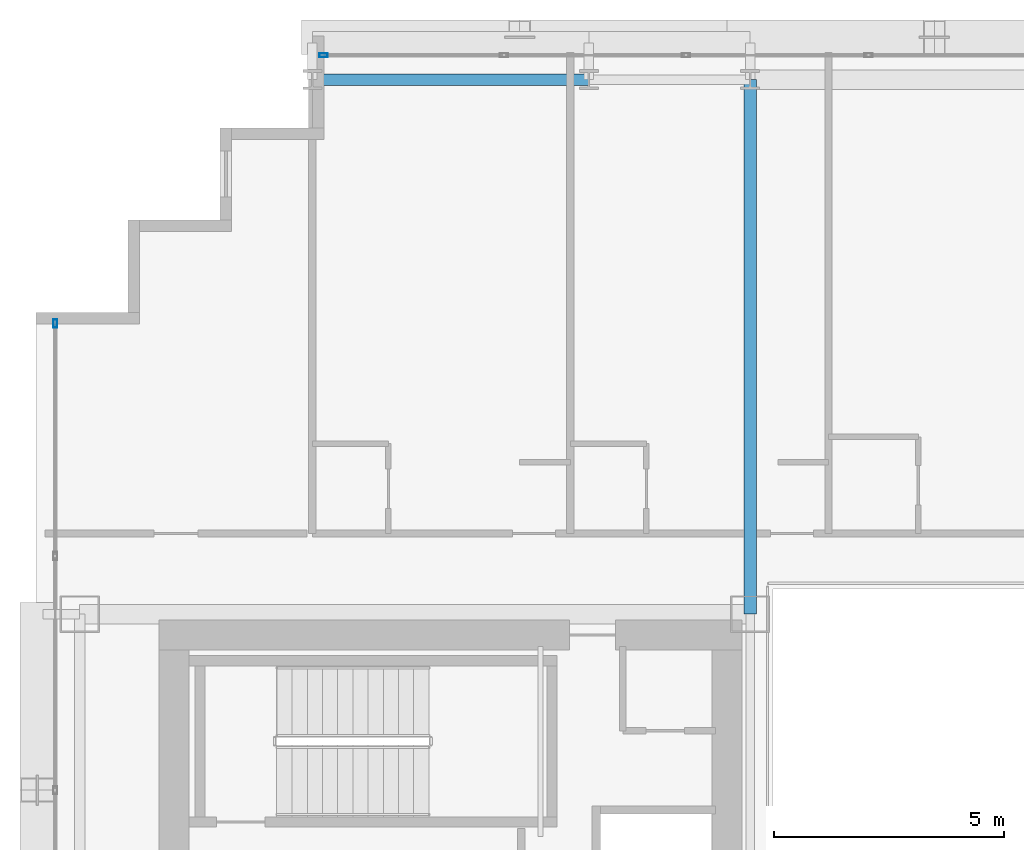
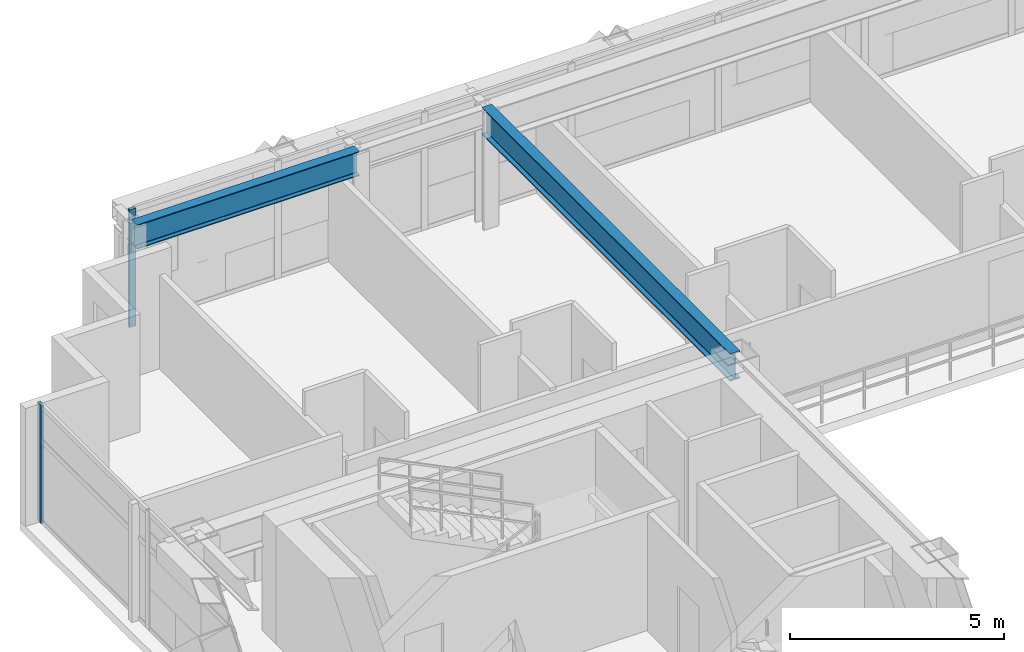
# One storey, part 17 of 35: 2 beams, 2 members, 2 elements without a shape of their own.
"""IFC4 building model written with IfcOpenShell, lengths in metres."""

from ifc_helpers import new_model, si_unit, direction, frame, origin, origin_2d, place, context, subcontext, project, spatial, hollow_rectangle, i_section, extrude, source, transform, mapped, material, layer, layer_set, material_profile, profile_set, type_object, element, aggregate, save


model = new_model("IFC4")

# Units and contexts
model_context = context("Model", 3, precision=1e-05, world=origin(), true_north=direction((0.0, 1.0)))
body_context = subcontext(model_context, "Body", "Model", "MODEL_VIEW")
ifc_project = project(units=[si_unit("LENGTHUNIT", "METRE"), si_unit("AREAUNIT", "SQUARE_METRE"), si_unit("VOLUMEUNIT", "CUBIC_METRE"), si_unit("PLANEANGLEUNIT", "RADIAN"), si_unit("MASSUNIT", "GRAM", prefix="KILO")], contexts=[model_context])

# Site, building, storey
site_placement = place(None, origin())
site = spatial("IfcSite", under=ifc_project, at=site_placement, CompositionType="ELEMENT")
building_placement = place(site_placement, origin())
building = spatial("IfcBuilding", under=site, at=building_placement, Name="Ocotamira Hotel", CompositionType="ELEMENT")
storey_placement = place(building_placement, frame((0.0, 0.0, 140.39990234375)))
storey = spatial("IfcBuildingStorey", under=building, at=storey_placement, Name="L35", CompositionType="ELEMENT", Elevation=140.39990234375)

# Beams
ifc_material_1 = material(Name="Steel ASTM A992 Grade 50", Category="steel")
ifc_material_profile_1 = material_profile(ifc_material_1, i_section(OverallWidth=0.256103515625, OverallDepth=0.693115234375, WebThickness=0.014404296875, FlangeThickness=0.023681640625, FilletRadius=0.01611328125, at=origin_2d()), Name="W27X114")
ifc_profile_set_1 = profile_set([ifc_material_profile_1], Name="Steel ASTM A992 Grade 50")
beam_type_1 = type_object("IfcBeamType", Name="BM-PRIM-W27X114", PredefinedType="BEAM", material=ifc_profile_set_1)
shared_shape_1 = source(origin(), body_context, "Body", "SweptSolid", [
    extrude(i_section(OverallWidth=0.256103515625, OverallDepth=0.693115234375, WebThickness=0.014404296875, FlangeThickness=0.023681640625, FilletRadius=0.01611328125, at=origin_2d()), origin(), (0.0, 0.0, 1.0), 6.0),
])
beam_1_placement = place(storey_placement, frame((14.0, 49.050048828125, 3.013671875), z_axis=(1.0, 0.0, 0.0), x_axis=(0.0, 1.0, 0.0)))
element("IfcBeam", 1, at=beam_1_placement, inside=storey, type_object=beam_type_1, Name="L35 Girder Y49.05 X14-20", PredefinedType="BEAM", context=body_context, shape_type="MappedRepresentation", body=[
    mapped(shared_shape_1, transform((0.0, 0.0, 0.0), scale=1.0)),
])
ifc_material_profile_2 = material_profile(ifc_material_1, i_section(OverallWidth=0.26611328125, OverallDepth=0.779052734375, WebThickness=0.0166015625, FlangeThickness=0.030029296875, FilletRadius=0.01806640625, at=origin_2d()), Name="W30X148")
ifc_profile_set_2 = profile_set([ifc_material_profile_2], Name="Steel ASTM A992 Grade 50")
beam_type_2 = type_object("IfcBeamType", Name="BM-GIRD-W30X148", PredefinedType="BEAM", material=ifc_profile_set_2)
shared_shape_2 = source(origin(), body_context, "Body", "SweptSolid", [
    extrude(i_section(OverallWidth=0.26611328125, OverallDepth=0.779052734375, WebThickness=0.0166015625, FlangeThickness=0.030029296875, FilletRadius=0.01806640625, at=origin_2d()), origin(), (0.0, 0.0, 1.0), 11.60009765625),
])
beam_2_placement = place(storey_placement, frame((23.5, 37.449951171875, 2.970703125), z_axis=(0.0, 1.0, 0.0), x_axis=(-1.0, 0.0, 0.0)))
element("IfcBeam", 2, at=beam_2_placement, inside=storey, type_object=beam_type_2, Name="L35 Beam X23.5 Y37.45-49.05", PredefinedType="BEAM", context=body_context, shape_type="MappedRepresentation", body=[
    mapped(shared_shape_2, transform((0.0, 0.0, 0.0), scale=1.0)),
])

# Curtain wall, member
ifc_material_2 = material(Name="Anodised pale-metal aluminium and solar glass", Category="aluminium")
ifc_layer = layer(ifc_material_2, 0.179931640625)
ifc_layer_set = layer_set([ifc_layer], Name="Anodised pale-metal aluminium and solar glass")
curtain_wall_type = type_object("IfcCurtainWallType", Name="CW-SYS3-Z2", PredefinedType="NOTDEFINED", material=ifc_layer_set)
curtain_wall_1_placement = place(storey_placement, origin())
curtain_wall_1 = element("IfcCurtainWall", 3, at=curtain_wall_1_placement, inside=storey, type_object=curtain_wall_type, Name="L35 Curtain Wall CW-3 CW-L35-N", PredefinedType="NOTDEFINED")
ifc_material_3 = material(Name="Anodised pale-metal aluminium 6063-T6", Category="aluminium")
ifc_material_profile_3 = material_profile(ifc_material_3, hollow_rectangle(XDim=0.080078125, YDim=0.179931640625, WallThickness=0.006103515625, at=origin_2d()), Name="HSS180X80X6")
ifc_profile_set_3 = profile_set([ifc_material_profile_3], Name="Anodised pale-metal aluminium 6063-T6")
member_type = type_object("IfcMemberType", Name="CWM-180X75", PredefinedType="MULLION", material=ifc_profile_set_3)
shared_shape_3 = source(origin(), body_context, "Body", "SweptSolid", [
    extrude(hollow_rectangle(XDim=0.080078125, YDim=0.179931640625, WallThickness=0.006103515625, at=origin_2d()), origin(), (0.0, 0.0, 1.0), 3.360107421875),
])
member_1_placement = place(storey_placement, frame((14.239990234375, 49.580078125, 0.0), z_axis=(0.0, 0.0, 1.0), x_axis=(0.0, 1.0, 0.0)))
member_1 = element("IfcMember", 4, at=member_1_placement, type_object=member_type, Name="CW-3 mullion 1", PredefinedType="MULLION", context=body_context, shape_type="MappedRepresentation", body=[
    mapped(shared_shape_3, transform((0.0, 0.0, 0.0), scale=1.0)),
])
aggregate(curtain_wall_1, [member_1])

curtain_wall_2_placement = place(storey_placement, origin())
curtain_wall_2 = element("IfcCurtainWall", 5, at=curtain_wall_2_placement, inside=storey, type_object=curtain_wall_type, Name="L35 Curtain Wall CW-3 CW-L35-W", PredefinedType="NOTDEFINED")
member_2_placement = place(storey_placement, frame((8.419921875, 43.760009765625, 0.0), z_axis=(0.0, 0.0, 1.0), x_axis=(-1.0, 0.0, 0.0)))
member_2 = element("IfcMember", 6, at=member_2_placement, type_object=member_type, Name="CW-3 mullion 8", PredefinedType="MULLION", context=body_context, shape_type="MappedRepresentation", body=[
    mapped(shared_shape_3, transform((0.0, 0.0, 0.0), scale=1.0)),
])
aggregate(curtain_wall_2, [member_2])

save(model, "model.ifc")
